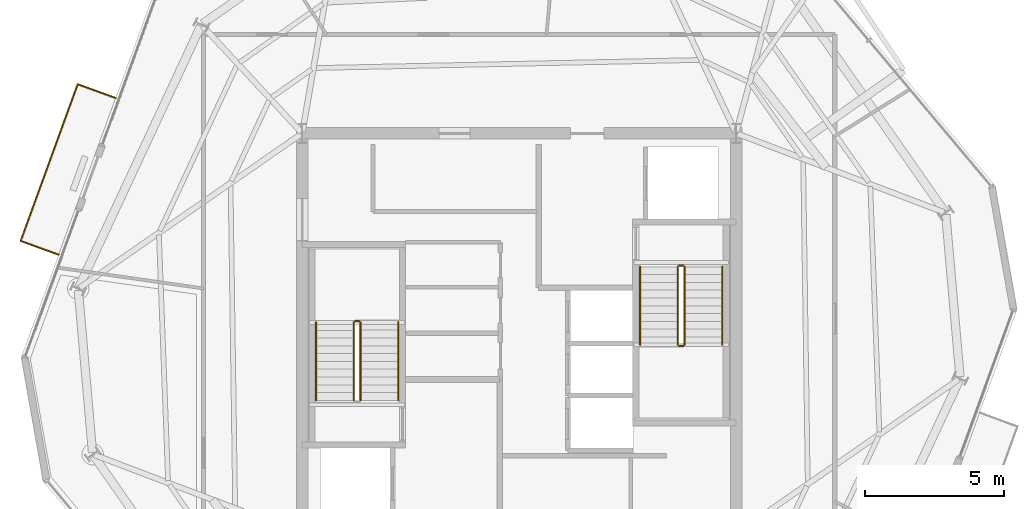
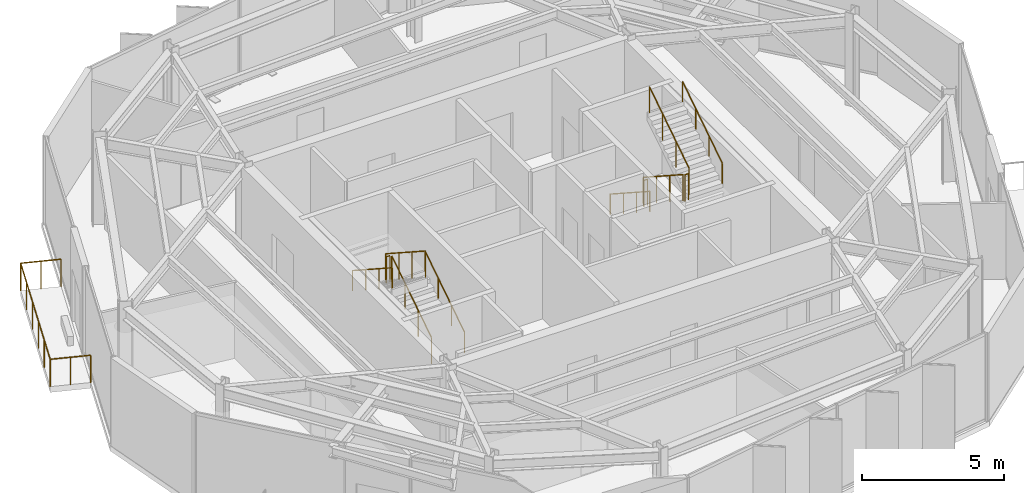
# One storey, part 10 of 11: 12 railings.
"""IFC4 building model written with IfcOpenShell, lengths in metres."""

from ifc_helpers import new_model, si_unit, direction, frame, origin, origin_2d, place, context, subcontext, project, spatial, circle, extrude, material, type_object, element, save


model = new_model("IFC4")

# Units and contexts
model_context = context("Model", 3, precision=1e-05, world=origin(), true_north=direction((0.0, 1.0)))
body_context = subcontext(model_context, "Body", "Model", "MODEL_VIEW")
ifc_project = project(units=[si_unit("LENGTHUNIT", "METRE"), si_unit("AREAUNIT", "SQUARE_METRE"), si_unit("VOLUMEUNIT", "CUBIC_METRE"), si_unit("PLANEANGLEUNIT", "RADIAN"), si_unit("MASSUNIT", "GRAM", prefix="KILO")], contexts=[model_context])

# Site, building, storey
site_placement = place(None, origin())
site = spatial("IfcSite", under=ifc_project, at=site_placement, CompositionType="ELEMENT")
building_placement = place(site_placement, origin())
building = spatial("IfcBuilding", under=site, at=building_placement, Name="Kranzbogen Civic Tower", CompositionType="ELEMENT")
storey_placement = place(building_placement, frame((0.0, 0.0, 306.199951171875)))
storey = spatial("IfcBuildingStorey", under=building, at=storey_placement, Name="L74", CompositionType="ELEMENT", Elevation=306.199951171875)

# Railings
ifc_material_1 = material(Name="Anodised Bronze Aluminium", Category="aluminium")
railing_type_1 = type_object("IfcRailingType", Name="Cantilevered Balcony Glass and Bronze Balustrade 1200", PredefinedType="BALUSTRADE", material=ifc_material_1)
railing_1_placement = place(storey_placement, frame((10.489990234375, 33.47412109375, 0.0)))
element("IfcRailing", 1, at=railing_1_placement, inside=storey, type_object=railing_type_1, Name="L74 exterior terrace balustrade L74-TB1", PredefinedType="BALUSTRADE", context=body_context, shape_type="SweptSolid", body=[
    extrude(circle(Radius=0.02392578125, at=origin_2d()), frame((0.0, 0.0, 1.17578125), z_axis=(-0.939749184667, 0.341864695336, 0.0), x_axis=(-0.341864695336, -0.939749184667, 0.0)), (0.0, 0.0, 1.0), 1.450439453125),
    extrude(circle(Radius=0.02392578125, at=origin_2d()), frame((-1.363037109375, 0.495849609375, 1.17578125), z_axis=(-0.342014228241, -0.939694773679, 0.0), x_axis=(0.939694773679, -0.342014228241, 0.0)), (0.0, 0.0, 1.0), 5.999755859375),
    extrude(circle(Radius=0.02392578125, at=origin_2d()), frame((-3.4150390625, -5.14208984375, 1.17578125), z_axis=(0.939695099279, -0.342013333644, 0.0), x_axis=(0.342013333644, 0.939695099279, 0.0)), (0.0, 0.0, 1.0), 1.450439453125),
    extrude(circle(Radius=0.02099609375, at=origin_2d()), origin(), (0.0, 0.0, 1.0), 1.15185546875),
    extrude(circle(Radius=0.02099609375, at=origin_2d()), frame((-0.681640625, 0.248046875, 0.0)), (0.0, 0.0, 1.0), 1.15185546875),
    extrude(circle(Radius=0.02099609375, at=origin_2d()), frame((-1.363037109375, 0.495849609375, 0.0)), (0.0, 0.0, 1.0), 1.15185546875),
    extrude(circle(Radius=0.02099609375, at=origin_2d()), frame((-1.7734375, -0.6318359375, 0.0)), (0.0, 0.0, 1.0), 1.15185546875),
    extrude(circle(Radius=0.02099609375, at=origin_2d()), frame((-2.183837890625, -1.75927734375, 0.0)), (0.0, 0.0, 1.0), 1.15185546875),
    extrude(circle(Radius=0.02099609375, at=origin_2d()), frame((-2.59423828125, -2.886962890625, 0.0)), (0.0, 0.0, 1.0), 1.15185546875),
    extrude(circle(Radius=0.02099609375, at=origin_2d()), frame((-3.004638671875, -4.014404296875, 0.0)), (0.0, 0.0, 1.0), 1.15185546875),
    extrude(circle(Radius=0.02099609375, at=origin_2d()), frame((-3.4150390625, -5.14208984375, 0.0)), (0.0, 0.0, 1.0), 1.15185546875),
    extrude(circle(Radius=0.02099609375, at=origin_2d()), frame((-2.7333984375, -5.39013671875, 0.0)), (0.0, 0.0, 1.0), 1.15185546875),
    extrude(circle(Radius=0.02099609375, at=origin_2d()), frame((-2.052001953125, -5.63818359375, 0.0)), (0.0, 0.0, 1.0), 1.15185546875),
])
ifc_material_2 = material(Name="Steel S355", Category="steel")
railing_type_2 = type_object("IfcRailingType", Name="Internal Stair and Void Steel Guardrail 1150", PredefinedType="GUARDRAIL", material=ifc_material_2)
railing_2_placement = place(storey_placement, frame((19.300048828125, 22.60009765625, 0.181884765625)))
element("IfcRailing", 2, at=railing_2_placement, inside=storey, type_object=railing_type_2, Name="L74 ST-T1 stair guard 1", PredefinedType="GUARDRAIL", context=body_context, shape_type="SweptSolid", body=[
    extrude(circle(Radius=0.02392578125, at=origin_2d()), frame((0.0, 0.0, 1.1259765625), z_axis=(0.0, 0.83868413941, 0.544618136222), x_axis=(-1.0, 0.0, 0.0)), (0.0, 0.0, 1.0), 3.33837890625),
    extrude(circle(Radius=0.02099609375, at=origin_2d()), origin(), (0.0, 0.0, 1.0), 1.101806640625),
    extrude(circle(Radius=0.02099609375, at=origin_2d()), frame((0.0, 0.933349609375, 0.60595703125)), (0.0, 0.0, 1.0), 1.101806640625),
    extrude(circle(Radius=0.02099609375, at=origin_2d()), frame((0.0, 1.866455078125, 1.212158203125)), (0.0, 0.0, 1.0), 1.101806640625),
    extrude(circle(Radius=0.02099609375, at=origin_2d()), frame((0.0, 2.7998046875, 1.818115234375)), (0.0, 0.0, 1.0), 1.101806640625),
])
railing_3_placement = place(storey_placement, frame((19.25, 25.449951171875, 2.0)))
element("IfcRailing", 3, at=railing_3_placement, inside=storey, type_object=railing_type_2, Name="L74 ST-T1 stair guard 2", PredefinedType="GUARDRAIL", context=body_context, shape_type="SweptSolid", body=[
    extrude(circle(Radius=0.02392578125, at=origin_2d()), frame((0.0, 0.0, 1.1259765625), z_axis=(-1.0, 0.0, 0.0), x_axis=(0.0, -1.0, 0.0)), (0.0, 0.0, 1.0), 0.14990234375),
    extrude(circle(Radius=0.02099609375, at=origin_2d()), origin(), (0.0, 0.0, 1.0), 1.101806640625),
    extrude(circle(Radius=0.02099609375, at=origin_2d()), frame((-0.14990234375, 0.0, 0.0)), (0.0, 0.0, 1.0), 1.101806640625),
])
for number, where, name in (
    (4, (19.050048828125, 25.39990234375, 2.181884765625), "L74 ST-T1 stair guard 3"),
    (5, (30.699951171875, 27.39990234375, 0.181884765625), "L74 ST-T2 stair guard 1"),
):
    element("IfcRailing", number, at=place(storey_placement, frame(where)), inside=storey, type_object=railing_type_2, Name=name, PredefinedType="GUARDRAIL", context=body_context, shape_type="SweptSolid", body=[
        extrude(circle(Radius=0.02392578125, at=origin_2d()), frame((0.0, 0.0, 1.1259765625), z_axis=(0.0, -0.83868413941, 0.544618136222), x_axis=(1.0, 0.0, 0.0)), (0.0, 0.0, 1.0), 3.33837890625),
        extrude(circle(Radius=0.02099609375, at=origin_2d()), origin(), (0.0, 0.0, 1.0), 1.101806640625),
        extrude(circle(Radius=0.02099609375, at=origin_2d()), frame((0.0, -0.933349609375, 0.60595703125)), (0.0, 0.0, 1.0), 1.101806640625),
        extrude(circle(Radius=0.02099609375, at=origin_2d()), frame((0.0, -1.866455078125, 1.212158203125)), (0.0, 0.0, 1.0), 1.101806640625),
        extrude(circle(Radius=0.02099609375, at=origin_2d()), frame((0.0, -2.7998046875, 1.818115234375)), (0.0, 0.0, 1.0), 1.101806640625),
    ])
railing_4_placement = place(storey_placement, frame((30.75, 24.550048828125, 2.0)))
element("IfcRailing", 6, at=railing_4_placement, inside=storey, type_object=railing_type_2, Name="L74 ST-T2 stair guard 2", PredefinedType="GUARDRAIL", context=body_context, shape_type="SweptSolid", body=[
    extrude(circle(Radius=0.02392578125, at=origin_2d()), frame((0.0, 0.0, 1.1259765625), z_axis=(1.0, 0.0, 0.0), x_axis=(0.0, 1.0, 0.0)), (0.0, 0.0, 1.0), 0.14990234375),
    extrude(circle(Radius=0.02099609375, at=origin_2d()), origin(), (0.0, 0.0, 1.0), 1.101806640625),
    extrude(circle(Radius=0.02099609375, at=origin_2d()), frame((0.14990234375, 0.0, 0.0)), (0.0, 0.0, 1.0), 1.101806640625),
])
railing_5_placement = place(storey_placement, frame((30.949951171875, 24.60009765625, 2.181884765625)))
element("IfcRailing", 7, at=railing_5_placement, inside=storey, type_object=railing_type_2, Name="L74 ST-T2 stair guard 3", PredefinedType="GUARDRAIL", context=body_context, shape_type="SweptSolid", body=[
    extrude(circle(Radius=0.02392578125, at=origin_2d()), frame((0.0, 0.0, 1.1259765625), z_axis=(0.0, 0.83868413941, 0.544618136222), x_axis=(-1.0, 0.0, 0.0)), (0.0, 0.0, 1.0), 3.33837890625),
    extrude(circle(Radius=0.02099609375, at=origin_2d()), origin(), (0.0, 0.0, 1.0), 1.101806640625),
    extrude(circle(Radius=0.02099609375, at=origin_2d()), frame((0.0, 0.933349609375, 0.60595703125)), (0.0, 0.0, 1.0), 1.101806640625),
    extrude(circle(Radius=0.02099609375, at=origin_2d()), frame((0.0, 1.866455078125, 1.212158203125)), (0.0, 0.0, 1.0), 1.101806640625),
    extrude(circle(Radius=0.02099609375, at=origin_2d()), frame((0.0, 2.7998046875, 1.818115234375)), (0.0, 0.0, 1.0), 1.101806640625),
])
railing_6_placement = place(storey_placement, frame((30.75, 27.449951171875, 0.0)))
element("IfcRailing", 8, at=railing_6_placement, inside=storey, type_object=railing_type_2, Name="L74 ST-T2 stair guard 4", PredefinedType="GUARDRAIL", context=body_context, shape_type="SweptSolid", body=[
    extrude(circle(Radius=0.02392578125, at=origin_2d()), frame((0.0, 0.0, 1.1259765625), z_axis=(1.0, 0.0, 0.0), x_axis=(0.0, 1.0, 0.0)), (0.0, 0.0, 1.0), 0.14990234375),
    extrude(circle(Radius=0.02099609375, at=origin_2d()), origin(), (0.0, 0.0, 1.0), 1.101806640625),
    extrude(circle(Radius=0.02099609375, at=origin_2d()), frame((0.14990234375, 0.0, 0.0)), (0.0, 0.0, 1.0), 1.101806640625),
])
ifc_material_3 = material(Name="Pale Anodised Aluminium", Category="aluminium")
railing_type_3 = type_object("IfcRailingType", Name="Tubular Stainless Stair Wall Handrail 900", PredefinedType="HANDRAIL", material=ifc_material_3)
railing_7_placement = place(storey_placement, frame((20.64990234375, 22.60009765625, 0.181884765625)))
element("IfcRailing", 9, at=railing_7_placement, inside=storey, type_object=railing_type_3, Name="L74 ST-T1 stair handrail 1", PredefinedType="HANDRAIL", context=body_context, shape_type="SweptSolid", body=[
    extrude(circle(Radius=0.02392578125, at=origin_2d()), frame((0.0, 0.0, 0.8759765625), z_axis=(0.0, 0.83868413941, 0.544618136222), x_axis=(-1.0, 0.0, 0.0)), (0.0, 0.0, 1.0), 3.33837890625),
    extrude(circle(Radius=0.02099609375, at=origin_2d()), origin(), (0.0, 0.0, 1.0), 0.851806640625),
    extrude(circle(Radius=0.02099609375, at=origin_2d()), frame((0.0, 0.933349609375, 0.60595703125)), (0.0, 0.0, 1.0), 0.851806640625),
    extrude(circle(Radius=0.02099609375, at=origin_2d()), frame((0.0, 1.866455078125, 1.212158203125)), (0.0, 0.0, 1.0), 0.851806640625),
    extrude(circle(Radius=0.02099609375, at=origin_2d()), frame((0.0, 2.7998046875, 1.818115234375)), (0.0, 0.0, 1.0), 0.851806640625),
])
for number, where, name in (
    (10, (17.699951171875, 25.39990234375, 2.181884765625), "L74 ST-T1 stair handrail 2"),
    (11, (29.35009765625, 27.39990234375, 0.181884765625), "L74 ST-T2 stair handrail 1"),
):
    element("IfcRailing", number, at=place(storey_placement, frame(where)), inside=storey, type_object=railing_type_3, Name=name, PredefinedType="HANDRAIL", context=body_context, shape_type="SweptSolid", body=[
        extrude(circle(Radius=0.02392578125, at=origin_2d()), frame((0.0, 0.0, 0.8759765625), z_axis=(0.0, -0.83868413941, 0.544618136222), x_axis=(1.0, 0.0, 0.0)), (0.0, 0.0, 1.0), 3.33837890625),
        extrude(circle(Radius=0.02099609375, at=origin_2d()), origin(), (0.0, 0.0, 1.0), 0.851806640625),
        extrude(circle(Radius=0.02099609375, at=origin_2d()), frame((0.0, -0.933349609375, 0.60595703125)), (0.0, 0.0, 1.0), 0.851806640625),
        extrude(circle(Radius=0.02099609375, at=origin_2d()), frame((0.0, -1.866455078125, 1.212158203125)), (0.0, 0.0, 1.0), 0.851806640625),
        extrude(circle(Radius=0.02099609375, at=origin_2d()), frame((0.0, -2.7998046875, 1.818115234375)), (0.0, 0.0, 1.0), 0.851806640625),
    ])
railing_8_placement = place(storey_placement, frame((32.300048828125, 24.60009765625, 2.181884765625)))
element("IfcRailing", 12, at=railing_8_placement, inside=storey, type_object=railing_type_3, Name="L74 ST-T2 stair handrail 2", PredefinedType="HANDRAIL", context=body_context, shape_type="SweptSolid", body=[
    extrude(circle(Radius=0.02392578125, at=origin_2d()), frame((0.0, 0.0, 0.8759765625), z_axis=(0.0, 0.83868413941, 0.544618136222), x_axis=(-1.0, 0.0, 0.0)), (0.0, 0.0, 1.0), 3.33837890625),
    extrude(circle(Radius=0.02099609375, at=origin_2d()), origin(), (0.0, 0.0, 1.0), 0.851806640625),
    extrude(circle(Radius=0.02099609375, at=origin_2d()), frame((0.0, 0.933349609375, 0.60595703125)), (0.0, 0.0, 1.0), 0.851806640625),
    extrude(circle(Radius=0.02099609375, at=origin_2d()), frame((0.0, 1.866455078125, 1.212158203125)), (0.0, 0.0, 1.0), 0.851806640625),
    extrude(circle(Radius=0.02099609375, at=origin_2d()), frame((0.0, 2.7998046875, 1.818115234375)), (0.0, 0.0, 1.0), 0.851806640625),
])

save(model, "model.ifc")
